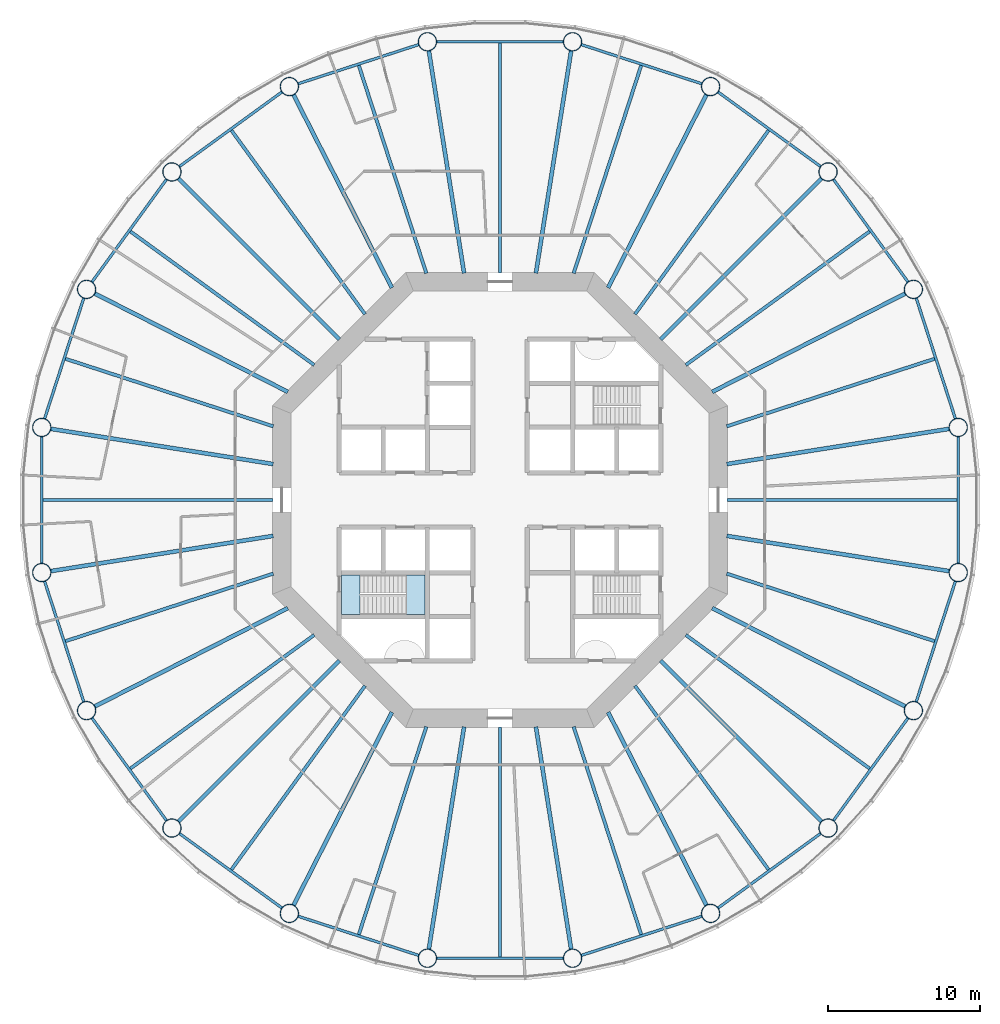
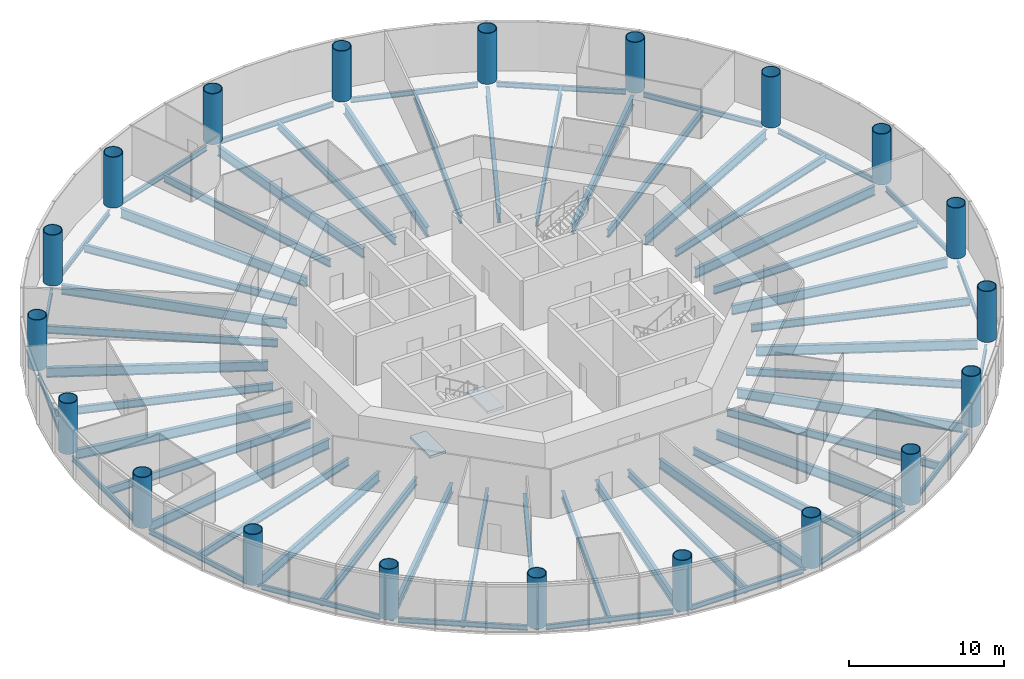
# One storey, part 1 of 13: 60 beams, 20 columns, 2 slabs, 1 element without a shape of its own.
"""IFC4 building model written with IfcOpenShell, lengths in metres."""

import ifcopenshell
import ifcopenshell.guid

model = None  # the IFC model being written
_history = None  # IfcOwnerHistory: only IFC2X3 demands one
_inside = {}  # id of a spatial element -> (the spatial element, [elements in it])
_under = {}  # id of a project, library or spatial element -> (it, [spatial elements below it])
_declared = {}  # id of a project -> (the project, [libraries it declares])
_typed = {}  # id of a type object -> (the type object, [elements of that type])
_made_of = {}  # id of a material, layer set ... -> (it, [elements and type objects made of it])


def new_model(schema):
    """Start an empty IFC model of exactly this schema.

    Asked for "IFC4X3", IfcOpenShell would pick the latest addendum, in which some entities
    have other attributes; the version numbers below select the first issue.
    IFC2X3 requires an IfcOwnerHistory on every rooted entity: one is made here for all.
    """
    global model, _history
    if schema == "IFC4X3":
        model = ifcopenshell.file(schema_version=(4, 3, 0, 0))
    else:
        model = ifcopenshell.file(schema=schema)
    _inside.clear()
    _under.clear()
    _declared.clear()
    _typed.clear()
    _made_of.clear()
    _history = None
    if model.schema == "IFC2X3":
        org = make("IfcOrganization", Name="unknown")
        user = make(
            "IfcPersonAndOrganization",
            ThePerson=make("IfcPerson", FamilyName="unknown"),
            TheOrganization=org,
        )
        app = make(
            "IfcApplication",
            ApplicationDeveloper=org,
            Version="unknown",
            ApplicationFullName="unknown",
            ApplicationIdentifier="unknown",
        )
        _history = make(
            "IfcOwnerHistory",
            OwningUser=user,
            OwningApplication=app,
            ChangeAction="ADDED",
            CreationDate=0,
        )
    return model


def make(cls, **values):
    """One entity of the class cls with the attributes given. An attribute that is None is left unset."""
    return model.create_entity(
        cls, **{name: value for name, value in values.items() if value is not None}
    )


def rooted(cls, **values):
    """An entity with a GlobalId (a new one), such as an element, a storey or a relation."""
    return make(cls, GlobalId=ifcopenshell.guid.new(), OwnerHistory=_history, **values)


def si_unit(unit_type, name, prefix=None):
    """IfcSIUnit, for example si_unit("LENGTHUNIT", "METRE", prefix="MILLI")."""
    return make("IfcSIUnit", UnitType=unit_type, Prefix=prefix, Name=name)


def assignment(units):
    """IfcUnitAssignment: the units of a project."""
    return None if units is None else make("IfcUnitAssignment", Units=units)


def point(xyz):
    """IfcCartesianPoint."""
    return None if xyz is None else make("IfcCartesianPoint", Coordinates=xyz)


def direction(xyz):
    """IfcDirection."""
    return None if xyz is None else make("IfcDirection", DirectionRatios=xyz)


def frame(location, z_axis=None, x_axis=None):
    """IfcAxis2Placement3D, a coordinate frame: its origin and axes. An axis left out is left unset."""
    return make(
        "IfcAxis2Placement3D",
        Location=point(location),
        Axis=direction(z_axis),
        RefDirection=direction(x_axis),
    )


def frame_2d(location, x_axis=None):
    """IfcAxis2Placement2D, a coordinate frame in the plane: its origin and x axis."""
    return make(
        "IfcAxis2Placement2D", Location=point(location), RefDirection=direction(x_axis)
    )


def origin():
    """The frame at (0, 0, 0) with its axes left unset."""
    return frame((0.0, 0.0, 0.0))


def origin_2d():
    """The frame at (0, 0) in the plane with its x axis left unset."""
    return frame_2d((0.0, 0.0))


def place(relative_to, where):
    """IfcLocalPlacement: puts the frame where relative to a parent placement (None: the world)."""
    return make(
        "IfcLocalPlacement", PlacementRelTo=relative_to, RelativePlacement=where
    )


def context(
    kind, dimensions, precision=None, world=None, true_north=None, identifier=None
):
    """IfcGeometricRepresentationContext, for example the 3D "Model" context."""
    return make(
        "IfcGeometricRepresentationContext",
        ContextIdentifier=identifier,
        ContextType=kind,
        CoordinateSpaceDimension=dimensions,
        Precision=precision,
        WorldCoordinateSystem=world,
        TrueNorth=true_north,
    )


def subcontext(parent, identifier, kind, view, scale=None):
    """IfcGeometricRepresentationSubContext, for example "Body" below "Model"."""
    return make(
        "IfcGeometricRepresentationSubContext",
        ContextIdentifier=identifier,
        ContextType=kind,
        ParentContext=parent,
        TargetScale=scale,
        TargetView=view,
    )


def project(units=None, contexts=None):
    """IfcProject with its units and contexts."""
    return rooted(
        "IfcProject",
        Name="project",
        RepresentationContexts=contexts,
        UnitsInContext=assignment(units),
    )


def spatial(cls, under=None, at=None, **own):
    """A site, building, storey or space (cls), placed at a placement, below another one or the project."""
    s = rooted(cls, ObjectPlacement=at, **own)
    if under is not None:
        _under.setdefault(under.id(), (under, []))[1].append(s)
    return s


def polyline(points):
    """IfcPolyline through the points."""
    return make("IfcPolyline", Points=[point(p) for p in points])


def profile(cls, at=None, kind="AREA", **sizes):
    """A parametric profile (cls). Its sizes go by their IFC names, for example OverallWidth=200.0."""
    return make(cls, ProfileType=kind, Position=at, **sizes)


def circle(**sizes):
    """IfcCircleProfileDef."""
    return profile("IfcCircleProfileDef", **sizes)


def hollow_circle(**sizes):
    """IfcCircleHollowProfileDef."""
    return profile("IfcCircleHollowProfileDef", **sizes)


def i_section(**sizes):
    """IfcIShapeProfileDef."""
    return profile("IfcIShapeProfileDef", **sizes)


def outline(outer, holes=None, kind="AREA"):
    """IfcArbitraryClosedProfileDef: a profile drawn as a closed curve; with holes, ...WithVoids."""
    if holes is None:
        return make("IfcArbitraryClosedProfileDef", ProfileType=kind, OuterCurve=outer)
    return make(
        "IfcArbitraryProfileDefWithVoids",
        ProfileType=kind,
        OuterCurve=outer,
        InnerCurves=holes,
    )


def extrude(swept, where, along, depth):
    """IfcExtrudedAreaSolid: the profile swept, set in the frame where, extruded along a direction by depth."""
    return make(
        "IfcExtrudedAreaSolid",
        SweptArea=swept,
        Position=where,
        ExtrudedDirection=direction(along),
        Depth=depth,
    )


def shape(context_of_items, identifier, shape_type, items):
    """IfcShapeRepresentation: the items that make up one representation, for example the "Body"."""
    return make(
        "IfcShapeRepresentation",
        ContextOfItems=context_of_items,
        RepresentationIdentifier=identifier,
        RepresentationType=shape_type,
        Items=items,
    )


def material(Name=None, Category=None):
    """IfcMaterial."""
    return make("IfcMaterial", Name=Name, Category=Category)


def layer(
    of_material, thickness, ventilated=None, Name=None, Category=None, Priority=None
):
    """IfcMaterialLayer: one layer of a wall or slab, of a material (None: an air gap)."""
    return make(
        "IfcMaterialLayer",
        Material=of_material,
        LayerThickness=thickness,
        IsVentilated=ventilated,
        Name=Name,
        Category=Category,
        Priority=Priority,
    )


def layer_set(layers, Name=None):
    """IfcMaterialLayerSet."""
    return make("IfcMaterialLayerSet", MaterialLayers=layers, LayerSetName=Name)


def material_profile(
    of_material, cross_section, Name=None, Category=None, Priority=None
):
    """IfcMaterialProfile: a cross section and its material."""
    return make(
        "IfcMaterialProfile",
        Name=Name,
        Material=of_material,
        Profile=cross_section,
        Priority=Priority,
        Category=Category,
    )


def profile_set(profiles, Name=None, composite=None):
    """IfcMaterialProfileSet."""
    return make(
        "IfcMaterialProfileSet",
        Name=Name,
        MaterialProfiles=profiles,
        CompositeProfile=composite,
    )


def made_of(thing, what):
    """Note that an element or type object is made of a material, layer set ...; save() writes the relation."""
    if what is not None:
        _made_of.setdefault(what.id(), (what, []))[1].append(thing)
    return thing


def type_object(cls, material=None, **own):
    """A type object (cls), such as IfcWallType, which elements share."""
    return made_of(rooted(cls, **own), material)


def element(
    cls,
    number,
    at=None,
    inside=None,
    cuts=None,
    type_object=None,
    material=None,
    context=None,
    identifier="Body",
    shape_type=None,
    held_by="IfcProductDefinitionShape",
    body=None,
    shapes=None,
    **own,
):
    """One element of the class cls, such as IfcWall. Its Tag is "e" and its number.

    at: its placement. inside: the storey or other place that contains it. cuts: it is an
    opening in that element (IfcRelVoidsElement). A single representation is given by context,
    identifier, shape_type and body (its items); several are given by shapes. held_by: the class
    of the entity that holds the representations. save() writes the other relations.
    """
    e = rooted(cls, Tag="e%d" % number, ObjectPlacement=at, **own)
    if body is not None:
        shapes = [shape(context, identifier, shape_type, body)]
    if shapes is not None:
        e.Representation = make(held_by, Representations=shapes)
    if inside is not None:
        _inside.setdefault(inside.id(), (inside, []))[1].append(e)
    if cuts is not None:
        rooted(
            "IfcRelVoidsElement", RelatingBuildingElement=cuts, RelatedOpeningElement=e
        )
    if type_object is not None:
        _typed.setdefault(type_object.id(), (type_object, []))[1].append(e)
    return made_of(e, material)


def aggregate(whole, parts):
    """IfcRelAggregates: a whole, such as a stair, and the parts it consists of."""
    return rooted("IfcRelAggregates", RelatingObject=whole, RelatedObjects=parts)


def save(model, path):
    """Write the relations noted so far, then the file.

    IfcRelAggregates (storeys below a building ...), IfcRelContainedInSpatialStructure (elements
    in a storey), IfcRelDefinesByType, IfcRelAssociatesMaterial and IfcRelDeclares: one each for
    every whole, place, type object, material and project.
    """
    for whole, parts in _under.values():
        aggregate(whole, parts)
    for where, things in _inside.values():
        rooted(
            "IfcRelContainedInSpatialStructure",
            RelatedElements=things,
            RelatingStructure=where,
        )
    for kind, things in _typed.values():
        rooted("IfcRelDefinesByType", RelatedObjects=things, RelatingType=kind)
    for what, things in _made_of.values():
        rooted("IfcRelAssociatesMaterial", RelatedObjects=things, RelatingMaterial=what)
    for by, libraries in _declared.values():
        rooted("IfcRelDeclares", RelatingContext=by, RelatedDefinitions=libraries)
    model.write(path)


model = new_model("IFC4")

# Units and contexts
model_context = context("Model", 3, precision=1e-05, world=origin(), true_north=direction((0.0, 1.0)))
body_context = subcontext(model_context, "Body", "Model", "MODEL_VIEW")
ifc_project = project(units=[si_unit("LENGTHUNIT", "METRE"), si_unit("AREAUNIT", "SQUARE_METRE"), si_unit("VOLUMEUNIT", "CUBIC_METRE"), si_unit("PLANEANGLEUNIT", "RADIAN"), si_unit("MASSUNIT", "GRAM", prefix="KILO")], contexts=[model_context])

# Site, building, storey
site_placement = place(None, origin())
site = spatial("IfcSite", under=ifc_project, at=site_placement, CompositionType="ELEMENT")
building_placement = place(site_placement, origin())
building = spatial("IfcBuilding", under=site, at=building_placement, Name="Entoto Ring Tower", CompositionType="ELEMENT")
storey_placement = place(building_placement, frame((0.0, 0.0, 100.0)))
storey = spatial("IfcBuildingStorey", under=building, at=storey_placement, Name="L22", CompositionType="ELEMENT", Elevation=100.0)

# Columns
ifc_material_1 = material(Name="Steel S355", Category="steel")
ifc_material_profile_1 = material_profile(ifc_material_1, hollow_circle(Radius=0.625, WallThickness=0.054931640625, at=origin_2d()), Name="CHS 1250 x 55")
ifc_material_2 = material(Name="Concrete C60/75", Category="concrete")
ifc_material_profile_2 = material_profile(ifc_material_2, circle(Radius=0.570068359375, at=origin_2d()), Name="Concrete C60/75 infill")
ifc_profile_set_1 = profile_set([ifc_material_profile_1, ifc_material_profile_2], Name="Steel S355")
column_type = type_object("IfcColumnType", Name="Ring column 1250 x 55 concrete-filled tube", PredefinedType="COLUMN", material=ifc_profile_set_1)
for number, where, z_axis, x_axis, name in (
    (1, (120.22314453125, 84.786865234375, 0.0), (0.0, 0.0, 1.0), (1.0, 0.0, 0.0), "RC2 R01"),
    (2, (117.264892578125, 93.89208984375, 0.0), (0.0, 0.0, 1.0), (1.0, 0.0, 0.0), "RC2 R02"),
    (3, (111.637451171875, 101.637451171875, 0.0), (0.0, 0.0, 1.0), (1.0, 0.0, 0.0), "RC2 R03"),
    (4, (103.89208984375, 107.264892578125, 0.0), (0.0, 0.0, 1.0), (1.0, 0.0, 0.0), "RC2 R04"),
    (5, (94.786865234375, 110.22314453125, 0.0), (0.0, 0.0, 1.0), (1.0, 0.0, 0.0), "RC2 R05"),
    (6, (85.213134765625, 110.22314453125, 0.0), (0.0, 0.0, 1.0), (1.0, 0.0, 0.0), "RC2 R06"),
    (7, (76.10791015625, 107.264892578125, 0.0), (0.0, 0.0, 1.0), (1.0, 0.0, 0.0), "RC2 R07"),
    (8, (68.362548828125, 101.637451171875, 0.0), (0.0, 0.0, 1.0), (1.0, 0.0, 0.0), "RC2 R08"),
    (9, (62.735107421875, 93.89208984375, 0.0), (0.0, 0.0, 1.0), (1.0, 0.0, 0.0), "RC2 R09"),
    (10, (59.77685546875, 84.786865234375, 0.0), (0.0, 0.0, 1.0), (1.0, 0.0, 0.0), "RC2 R10"),
    (11, (59.77685546875, 75.213134765625, 0.0), (0.0, 0.0, 1.0), (1.0, 0.0, 0.0), "RC2 R11"),
    (12, (62.735107421875, 66.10791015625, 0.0), (0.0, 0.0, 1.0), (1.0, 0.0, 0.0), "RC2 R12"),
    (13, (68.362548828125, 58.362548828125, 0.0), (0.0, 0.0, 1.0), (1.0, 0.0, 0.0), "RC2 R13"),
    (14, (76.10791015625, 52.735107421875, 0.0), (0.0, 0.0, 1.0), (1.0, 0.0, 0.0), "RC2 R14"),
    (15, (85.213134765625, 49.77685546875, 0.0), (0.0, 0.0, 1.0), (1.0, 0.0, 0.0), "RC2 R15"),
    (16, (94.786865234375, 49.77685546875, 0.0), (0.0, 0.0, 1.0), (1.0, 0.0, 0.0), "RC2 R16"),
    (17, (103.89208984375, 52.735107421875, 0.0), (0.0, 0.0, 1.0), (1.0, 0.0, 0.0), "RC2 R17"),
    (18, (111.637451171875, 58.362548828125, 0.0), (0.0, 0.0, 1.0), (1.0, 0.0, 0.0), "RC2 R18"),
    (19, (117.264892578125, 66.10791015625, 0.0), (0.0, 0.0, 1.0), (1.0, 0.0, 0.0), "RC2 R19"),
    (20, (120.22314453125, 75.213134765625, 0.0), (0.0, 0.0, 1.0), (1.0, 0.0, 0.0), "RC2 R20"),
):
    element("IfcColumn", number, at=place(storey_placement, frame(where, z_axis=z_axis, x_axis=x_axis)), inside=storey, type_object=column_type, Name=name, PredefinedType="COLUMN", context=body_context, shape_type="SweptSolid", body=[
        extrude(hollow_circle(Radius=0.625, WallThickness=0.054931640625, at=origin_2d()), origin(), (0.0, 0.0, 1.0), 4.0),
    ])

# Beams
ifc_material_3 = material(Name="Steel S355", Category="steel")
ifc_material_profile_3 = material_profile(ifc_material_3, i_section(OverallWidth=0.179931640625, OverallDepth=0.39990234375, WebThickness=0.008544921875, FlangeThickness=0.013427734375, FilletRadius=0.02099609375, at=origin_2d()), Name="IPE 400")
ifc_profile_set_2 = profile_set([ifc_material_profile_3], Name="Steel S355")
beam_type_1 = type_object("IfcBeamType", Name="Edge beam IPE 400", PredefinedType="SPANDREL", material=ifc_profile_set_2)
for number, where, z_axis, x_axis, name in (
    (21, (120.038330078125, 85.35595703125, -0.35009765625), (-0.309014241039, 0.951057410904, 0.0), (-0.951057410904, -0.309014241039, 0.0), "Edge beam L22 01"),
    (22, (116.9130859375, 94.376220703125, -0.35009765625), (-0.587783458554, 0.8090182976, 0.0), (-0.8090182976, -0.587783458554, 0.0), "Edge beam L22 02"),
    (23, (111.1533203125, 101.9892578125, -0.35009765625), (-0.8090182976, 0.587783458554, 0.0), (-0.587783458554, -0.8090182976, 0.0), "Edge beam L22 03"),
    (24, (103.322998046875, 107.44970703125, -0.35009765625), (-0.951057410904, 0.309014241039, 0.0), (-0.309014241039, -0.951057410904, 0.0), "Edge beam L22 04"),
    (25, (94.1884765625, 110.22314453125, -0.35009765625), (-1.0, 0.0, 0.0), (0.0, -1.0, 0.0), "Edge beam L22 05"),
    (26, (84.64404296875, 110.038330078125, -0.35009765625), (-0.951057410904, -0.309014241039, 0.0), (0.309014241039, -0.951057410904, 0.0), "Edge beam L22 06"),
    (27, (75.623779296875, 106.9130859375, -0.35009765625), (-0.8090182976, -0.587783458554, 0.0), (0.587783458554, -0.8090182976, 0.0), "Edge beam L22 07"),
    (28, (68.0107421875, 101.1533203125, -0.35009765625), (-0.587783458554, -0.8090182976, 0.0), (0.8090182976, -0.587783458554, 0.0), "Edge beam L22 08"),
    (29, (62.55029296875, 93.322998046875, -0.35009765625), (-0.309014241039, -0.951057410904, 0.0), (0.951057410904, -0.309014241039, 0.0), "Edge beam L22 09"),
    (30, (59.77685546875, 84.1884765625, -0.35009765625), (0.0, -1.0, 0.0), (1.0, 0.0, 0.0), "Edge beam L22 10"),
    (31, (59.961669921875, 74.64404296875, -0.35009765625), (0.309014241039, -0.951057410904, 0.0), (0.951057410904, 0.309014241039, 0.0), "Edge beam L22 11"),
    (32, (63.0869140625, 65.623779296875, -0.35009765625), (0.587783458554, -0.8090182976, 0.0), (0.8090182976, 0.587783458554, 0.0), "Edge beam L22 12"),
    (33, (68.8466796875, 58.0107421875, -0.35009765625), (0.8090182976, -0.587783458554, 0.0), (0.587783458554, 0.8090182976, 0.0), "Edge beam L22 13"),
    (34, (76.677001953125, 52.55029296875, -0.35009765625), (0.951057410904, -0.309014241039, 0.0), (0.309014241039, 0.951057410904, 0.0), "Edge beam L22 14"),
    (35, (85.8115234375, 49.77685546875, -0.35009765625), (1.0, 0.0, 0.0), (0.0, 1.0, 0.0), "Edge beam L22 15"),
    (36, (95.35595703125, 49.961669921875, -0.35009765625), (0.951057410904, 0.309014241039, 0.0), (-0.309014241039, 0.951057410904, 0.0), "Edge beam L22 16"),
    (37, (104.376220703125, 53.0869140625, -0.35009765625), (0.8090182976, 0.587783458554, 0.0), (-0.587783458554, 0.8090182976, 0.0), "Edge beam L22 17"),
    (38, (111.9892578125, 58.8466796875, -0.35009765625), (0.587783458554, 0.8090182976, 0.0), (-0.8090182976, 0.587783458554, 0.0), "Edge beam L22 18"),
    (39, (117.44970703125, 66.677001953125, -0.35009765625), (0.309014241039, 0.951057410904, 0.0), (-0.951057410904, 0.309014241039, 0.0), "Edge beam L22 19"),
    (40, (120.22314453125, 75.8115234375, -0.35009765625), (0.0, 1.0, 0.0), (-1.0, 0.0, 0.0), "Edge beam L22 20"),
):
    element("IfcBeam", number, at=place(storey_placement, frame(where, z_axis=z_axis, x_axis=x_axis)), inside=storey, type_object=beam_type_1, Name=name, PredefinedType="SPANDREL", context=body_context, shape_type="SweptSolid", body=[
        extrude(i_section(OverallWidth=0.179931640625, OverallDepth=0.39990234375, WebThickness=0.008544921875, FlangeThickness=0.013427734375, FilletRadius=0.02099609375, at=origin_2d()), origin(), (0.0, 0.0, 1.0), 8.376953125),
    ])
ifc_material_4 = material(Name="Steel S355", Category="steel")
ifc_material_profile_4 = material_profile(ifc_material_4, i_section(OverallWidth=0.262939453125, OverallDepth=0.7529296875, WebThickness=0.011474609375, FlangeThickness=0.01708984375, FilletRadius=0.01708984375, at=origin_2d()), Name="IPE 750 x 137")
ifc_profile_set_3 = profile_set([ifc_material_profile_4], Name="Steel S355")
beam_type_2 = type_object("IfcBeamType", Name="Primary floor beam IPE 750 x 137", PredefinedType="BEAM", material=ifc_profile_set_3)
beam_1_placement = place(storey_placement, frame((104.959716796875, 82.369384765625, -0.526611328125), z_axis=(0.98768960451, 0.156426484787, 0.0), x_axis=(-0.156426484787, 0.98768960451, 0.0)))
element("IfcBeam", 41, at=beam_1_placement, inside=storey, type_object=beam_type_2, Name="Primary L22 R01", PredefinedType="BEAM", context=body_context, shape_type="SweptSolid", body=[
    extrude(i_section(OverallWidth=0.262939453125, OverallDepth=0.7529296875, WebThickness=0.011474609375, FlangeThickness=0.01708984375, FilletRadius=0.01708984375, at=origin_2d()), origin(), (0.0, 0.0, 1.0), 14.86279296875),
])
beam_2_placement = place(storey_placement, frame((103.9970703125, 87.1318359375, -0.526611328125), z_axis=(0.891007312585, 0.453988952421, 0.0), x_axis=(-0.453988952421, 0.891007312585, 0.0)))
element("IfcBeam", 42, at=beam_2_placement, inside=storey, type_object=beam_type_2, Name="Primary L22 R02", PredefinedType="BEAM", context=body_context, shape_type="SweptSolid", body=[
    extrude(i_section(OverallWidth=0.262939453125, OverallDepth=0.7529296875, WebThickness=0.011474609375, FlangeThickness=0.01708984375, FilletRadius=0.01708984375, at=origin_2d()), origin(), (0.0, 0.0, 1.0), 14.2998046875),
])
beam_3_placement = place(storey_placement, frame((100.592529296875, 90.592529296875, -0.526611328125), z_axis=(0.707106781187, 0.707106781187, 0.0), x_axis=(-0.707106781187, 0.707106781187, 0.0)))
element("IfcBeam", 43, at=beam_3_placement, inside=storey, type_object=beam_type_2, Name="Primary L22 R03", PredefinedType="BEAM", context=body_context, shape_type="SweptSolid", body=[
    extrude(i_section(OverallWidth=0.262939453125, OverallDepth=0.7529296875, WebThickness=0.011474609375, FlangeThickness=0.01708984375, FilletRadius=0.01708984375, at=origin_2d()), origin(), (0.0, 0.0, 1.0), 15.029052734375),
])
beam_4_placement = place(storey_placement, frame((97.1318359375, 93.9970703125, -0.526611328125), z_axis=(0.453988952421, 0.891007312585, 0.0), x_axis=(-0.891007312585, 0.453988952421, 0.0)))
element("IfcBeam", 44, at=beam_4_placement, inside=storey, type_object=beam_type_2, Name="Primary L22 R04", PredefinedType="BEAM", context=body_context, shape_type="SweptSolid", body=[
    extrude(i_section(OverallWidth=0.262939453125, OverallDepth=0.7529296875, WebThickness=0.011474609375, FlangeThickness=0.01708984375, FilletRadius=0.01708984375, at=origin_2d()), origin(), (0.0, 0.0, 1.0), 14.2998046875),
])
for number, where, z_axis, x_axis, name in (
    (45, (92.369384765625, 94.959716796875, -0.526611328125), (0.156426484787, 0.98768960451, 0.0), (-0.98768960451, 0.156426484787, 0.0), "Primary L22 R05"),
    (46, (87.630615234375, 94.959716796875, -0.526611328125), (-0.156426484787, 0.98768960451, 0.0), (-0.98768960451, -0.156426484787, 0.0), "Primary L22 R06"),
):
    element("IfcBeam", number, at=place(storey_placement, frame(where, z_axis=z_axis, x_axis=x_axis)), inside=storey, type_object=beam_type_2, Name=name, PredefinedType="BEAM", context=body_context, shape_type="SweptSolid", body=[
        extrude(i_section(OverallWidth=0.262939453125, OverallDepth=0.7529296875, WebThickness=0.011474609375, FlangeThickness=0.01708984375, FilletRadius=0.01708984375, at=origin_2d()), origin(), (0.0, 0.0, 1.0), 14.86279296875),
    ])
beam_5_placement = place(storey_placement, frame((82.8681640625, 93.9970703125, -0.526611328125), z_axis=(-0.453988952421, 0.891007312585, 0.0), x_axis=(-0.891007312585, -0.453988952421, 0.0)))
element("IfcBeam", 47, at=beam_5_placement, inside=storey, type_object=beam_type_2, Name="Primary L22 R07", PredefinedType="BEAM", context=body_context, shape_type="SweptSolid", body=[
    extrude(i_section(OverallWidth=0.262939453125, OverallDepth=0.7529296875, WebThickness=0.011474609375, FlangeThickness=0.01708984375, FilletRadius=0.01708984375, at=origin_2d()), origin(), (0.0, 0.0, 1.0), 14.2998046875),
])
beam_6_placement = place(storey_placement, frame((79.407470703125, 90.592529296875, -0.526611328125), z_axis=(-0.707106781187, 0.707106781187, 0.0), x_axis=(-0.707106781187, -0.707106781187, 0.0)))
element("IfcBeam", 48, at=beam_6_placement, inside=storey, type_object=beam_type_2, Name="Primary L22 R08", PredefinedType="BEAM", context=body_context, shape_type="SweptSolid", body=[
    extrude(i_section(OverallWidth=0.262939453125, OverallDepth=0.7529296875, WebThickness=0.011474609375, FlangeThickness=0.01708984375, FilletRadius=0.01708984375, at=origin_2d()), origin(), (0.0, 0.0, 1.0), 15.029052734375),
])
beam_7_placement = place(storey_placement, frame((76.0029296875, 87.1318359375, -0.526611328125), z_axis=(-0.891007312585, 0.453988952421, 0.0), x_axis=(-0.453988952421, -0.891007312585, 0.0)))
element("IfcBeam", 49, at=beam_7_placement, inside=storey, type_object=beam_type_2, Name="Primary L22 R09", PredefinedType="BEAM", context=body_context, shape_type="SweptSolid", body=[
    extrude(i_section(OverallWidth=0.262939453125, OverallDepth=0.7529296875, WebThickness=0.011474609375, FlangeThickness=0.01708984375, FilletRadius=0.01708984375, at=origin_2d()), origin(), (0.0, 0.0, 1.0), 14.2998046875),
])
for number, where, z_axis, x_axis, name in (
    (50, (75.040283203125, 82.369384765625, -0.526611328125), (-0.98768960451, 0.156426484787, 0.0), (-0.156426484787, -0.98768960451, 0.0), "Primary L22 R10"),
    (51, (75.040283203125, 77.630615234375, -0.526611328125), (-0.98768960451, -0.156426484787, 0.0), (0.156426484787, -0.98768960451, 0.0), "Primary L22 R11"),
):
    element("IfcBeam", number, at=place(storey_placement, frame(where, z_axis=z_axis, x_axis=x_axis)), inside=storey, type_object=beam_type_2, Name=name, PredefinedType="BEAM", context=body_context, shape_type="SweptSolid", body=[
        extrude(i_section(OverallWidth=0.262939453125, OverallDepth=0.7529296875, WebThickness=0.011474609375, FlangeThickness=0.01708984375, FilletRadius=0.01708984375, at=origin_2d()), origin(), (0.0, 0.0, 1.0), 14.86279296875),
    ])
beam_8_placement = place(storey_placement, frame((76.0029296875, 72.8681640625, -0.526611328125), z_axis=(-0.891007312585, -0.453988952421, 0.0), x_axis=(0.453988952421, -0.891007312585, 0.0)))
element("IfcBeam", 52, at=beam_8_placement, inside=storey, type_object=beam_type_2, Name="Primary L22 R12", PredefinedType="BEAM", context=body_context, shape_type="SweptSolid", body=[
    extrude(i_section(OverallWidth=0.262939453125, OverallDepth=0.7529296875, WebThickness=0.011474609375, FlangeThickness=0.01708984375, FilletRadius=0.01708984375, at=origin_2d()), origin(), (0.0, 0.0, 1.0), 14.2998046875),
])
beam_9_placement = place(storey_placement, frame((79.407470703125, 69.407470703125, -0.526611328125), z_axis=(-0.707106781187, -0.707106781187, 0.0), x_axis=(0.707106781187, -0.707106781187, 0.0)))
element("IfcBeam", 53, at=beam_9_placement, inside=storey, type_object=beam_type_2, Name="Primary L22 R13", PredefinedType="BEAM", context=body_context, shape_type="SweptSolid", body=[
    extrude(i_section(OverallWidth=0.262939453125, OverallDepth=0.7529296875, WebThickness=0.011474609375, FlangeThickness=0.01708984375, FilletRadius=0.01708984375, at=origin_2d()), origin(), (0.0, 0.0, 1.0), 15.029052734375),
])
beam_10_placement = place(storey_placement, frame((82.8681640625, 66.0029296875, -0.526611328125), z_axis=(-0.453988952421, -0.891007312585, 0.0), x_axis=(0.891007312585, -0.453988952421, 0.0)))
element("IfcBeam", 54, at=beam_10_placement, inside=storey, type_object=beam_type_2, Name="Primary L22 R14", PredefinedType="BEAM", context=body_context, shape_type="SweptSolid", body=[
    extrude(i_section(OverallWidth=0.262939453125, OverallDepth=0.7529296875, WebThickness=0.011474609375, FlangeThickness=0.01708984375, FilletRadius=0.01708984375, at=origin_2d()), origin(), (0.0, 0.0, 1.0), 14.2998046875),
])
for number, where, z_axis, x_axis, name in (
    (55, (87.630615234375, 65.040283203125, -0.526611328125), (-0.156426484787, -0.98768960451, 0.0), (0.98768960451, -0.156426484787, 0.0), "Primary L22 R15"),
    (56, (92.369384765625, 65.040283203125, -0.526611328125), (0.156426484787, -0.98768960451, 0.0), (0.98768960451, 0.156426484787, 0.0), "Primary L22 R16"),
):
    element("IfcBeam", number, at=place(storey_placement, frame(where, z_axis=z_axis, x_axis=x_axis)), inside=storey, type_object=beam_type_2, Name=name, PredefinedType="BEAM", context=body_context, shape_type="SweptSolid", body=[
        extrude(i_section(OverallWidth=0.262939453125, OverallDepth=0.7529296875, WebThickness=0.011474609375, FlangeThickness=0.01708984375, FilletRadius=0.01708984375, at=origin_2d()), origin(), (0.0, 0.0, 1.0), 14.86279296875),
    ])
beam_11_placement = place(storey_placement, frame((97.1318359375, 66.0029296875, -0.526611328125), z_axis=(0.453988952421, -0.891007312585, 0.0), x_axis=(0.891007312585, 0.453988952421, 0.0)))
element("IfcBeam", 57, at=beam_11_placement, inside=storey, type_object=beam_type_2, Name="Primary L22 R17", PredefinedType="BEAM", context=body_context, shape_type="SweptSolid", body=[
    extrude(i_section(OverallWidth=0.262939453125, OverallDepth=0.7529296875, WebThickness=0.011474609375, FlangeThickness=0.01708984375, FilletRadius=0.01708984375, at=origin_2d()), origin(), (0.0, 0.0, 1.0), 14.2998046875),
])
beam_12_placement = place(storey_placement, frame((100.592529296875, 69.407470703125, -0.526611328125), z_axis=(0.707106781187, -0.707106781187, 0.0), x_axis=(0.707106781187, 0.707106781187, 0.0)))
element("IfcBeam", 58, at=beam_12_placement, inside=storey, type_object=beam_type_2, Name="Primary L22 R18", PredefinedType="BEAM", context=body_context, shape_type="SweptSolid", body=[
    extrude(i_section(OverallWidth=0.262939453125, OverallDepth=0.7529296875, WebThickness=0.011474609375, FlangeThickness=0.01708984375, FilletRadius=0.01708984375, at=origin_2d()), origin(), (0.0, 0.0, 1.0), 15.029052734375),
])
beam_13_placement = place(storey_placement, frame((103.9970703125, 72.8681640625, -0.526611328125), z_axis=(0.891007312585, -0.453988952421, 0.0), x_axis=(0.453988952421, 0.891007312585, 0.0)))
element("IfcBeam", 59, at=beam_13_placement, inside=storey, type_object=beam_type_2, Name="Primary L22 R19", PredefinedType="BEAM", context=body_context, shape_type="SweptSolid", body=[
    extrude(i_section(OverallWidth=0.262939453125, OverallDepth=0.7529296875, WebThickness=0.011474609375, FlangeThickness=0.01708984375, FilletRadius=0.01708984375, at=origin_2d()), origin(), (0.0, 0.0, 1.0), 14.2998046875),
])
beam_14_placement = place(storey_placement, frame((104.959716796875, 77.630615234375, -0.526611328125), z_axis=(0.98768960451, -0.156426484787, 0.0), x_axis=(0.156426484787, 0.98768960451, 0.0)))
element("IfcBeam", 60, at=beam_14_placement, inside=storey, type_object=beam_type_2, Name="Primary L22 R20", PredefinedType="BEAM", context=body_context, shape_type="SweptSolid", body=[
    extrude(i_section(OverallWidth=0.262939453125, OverallDepth=0.7529296875, WebThickness=0.011474609375, FlangeThickness=0.01708984375, FilletRadius=0.01708984375, at=origin_2d()), origin(), (0.0, 0.0, 1.0), 14.86279296875),
])
ifc_material_5 = material(Name="Steel S355", Category="steel")
ifc_material_profile_5 = material_profile(ifc_material_5, i_section(OverallWidth=0.219970703125, OverallDepth=0.60009765625, WebThickness=0.011962890625, FlangeThickness=0.01904296875, FilletRadius=0.02392578125, at=origin_2d()), Name="IPE 600")
ifc_profile_set_4 = profile_set([ifc_material_profile_5], Name="Steel S355")
beam_type_3 = type_object("IfcBeamType", Name="Secondary floor beam IPE 600", PredefinedType="JOIST", material=ifc_profile_set_4)
beam_15_placement = place(storey_placement, frame((104.947021484375, 84.856689453125, -0.449951171875), z_axis=(0.951057212949, 0.309014850288, 0.0), x_axis=(-0.309014850288, 0.951057212949, 0.0)))
element("IfcBeam", 61, at=beam_15_placement, inside=storey, type_object=beam_type_3, Name="Secondary beam L22 01", PredefinedType="JOIST", context=body_context, shape_type="SweptSolid", body=[
    extrude(i_section(OverallWidth=0.219970703125, OverallDepth=0.60009765625, WebThickness=0.011962890625, FlangeThickness=0.01904296875, FilletRadius=0.02392578125, at=origin_2d()), origin(), (0.0, 0.0, 1.0), 14.4169921875),
])
for number, where, z_axis, x_axis, name in (
    (62, (102.25634765625, 88.90478515625, -0.449951171875), (0.809019238239, 0.587782163866, 0.0), (-0.587782163866, 0.809019238239, 0.0), "Secondary beam L22 02"),
    (63, (98.90478515625, 92.25634765625, -0.449951171875), (0.587782163866, 0.809019238239, 0.0), (-0.809019238239, 0.587782163866, 0.0), "Secondary beam L22 03"),
):
    element("IfcBeam", number, at=place(storey_placement, frame(where, z_axis=z_axis, x_axis=x_axis)), inside=storey, type_object=beam_type_3, Name=name, PredefinedType="JOIST", context=body_context, shape_type="SweptSolid", body=[
        extrude(i_section(OverallWidth=0.219970703125, OverallDepth=0.60009765625, WebThickness=0.011962890625, FlangeThickness=0.01904296875, FilletRadius=0.02392578125, at=origin_2d()), origin(), (0.0, 0.0, 1.0), 14.983642578125),
    ])
beam_16_placement = place(storey_placement, frame((94.856689453125, 94.947021484375, -0.449951171875), z_axis=(0.309014850288, 0.951057212949, 0.0), x_axis=(-0.951057212949, 0.309014850288, 0.0)))
element("IfcBeam", 64, at=beam_16_placement, inside=storey, type_object=beam_type_3, Name="Secondary beam L22 04", PredefinedType="JOIST", context=body_context, shape_type="SweptSolid", body=[
    extrude(i_section(OverallWidth=0.219970703125, OverallDepth=0.60009765625, WebThickness=0.011962890625, FlangeThickness=0.01904296875, FilletRadius=0.02392578125, at=origin_2d()), origin(), (0.0, 0.0, 1.0), 14.4169921875),
])
beam_17_placement = place(storey_placement, frame((90.0, 94.97998046875, -0.449951171875), z_axis=(0.0, 1.0, 0.0), x_axis=(-1.0, 0.0, 0.0)))
element("IfcBeam", 65, at=beam_17_placement, inside=storey, type_object=beam_type_3, Name="Secondary beam L22 05", PredefinedType="JOIST", context=body_context, shape_type="SweptSolid", body=[
    extrude(i_section(OverallWidth=0.219970703125, OverallDepth=0.60009765625, WebThickness=0.011962890625, FlangeThickness=0.01904296875, FilletRadius=0.02392578125, at=origin_2d()), origin(), (0.0, 0.0, 1.0), 15.1533203125),
])
beam_18_placement = place(storey_placement, frame((85.143310546875, 94.947021484375, -0.449951171875), z_axis=(-0.309014850288, 0.951057212949, 0.0), x_axis=(-0.951057212949, -0.309014850288, 0.0)))
element("IfcBeam", 66, at=beam_18_placement, inside=storey, type_object=beam_type_3, Name="Secondary beam L22 06", PredefinedType="JOIST", context=body_context, shape_type="SweptSolid", body=[
    extrude(i_section(OverallWidth=0.219970703125, OverallDepth=0.60009765625, WebThickness=0.011962890625, FlangeThickness=0.01904296875, FilletRadius=0.02392578125, at=origin_2d()), origin(), (0.0, 0.0, 1.0), 14.4169921875),
])
for number, where, z_axis, x_axis, name in (
    (67, (81.09521484375, 92.25634765625, -0.449951171875), (-0.587782163866, 0.809019238239, 0.0), (-0.809019238239, -0.587782163866, 0.0), "Secondary beam L22 07"),
    (68, (77.74365234375, 88.90478515625, -0.449951171875), (-0.809019238239, 0.587782163866, 0.0), (-0.587782163866, -0.809019238239, 0.0), "Secondary beam L22 08"),
):
    element("IfcBeam", number, at=place(storey_placement, frame(where, z_axis=z_axis, x_axis=x_axis)), inside=storey, type_object=beam_type_3, Name=name, PredefinedType="JOIST", context=body_context, shape_type="SweptSolid", body=[
        extrude(i_section(OverallWidth=0.219970703125, OverallDepth=0.60009765625, WebThickness=0.011962890625, FlangeThickness=0.01904296875, FilletRadius=0.02392578125, at=origin_2d()), origin(), (0.0, 0.0, 1.0), 14.983642578125),
    ])
beam_19_placement = place(storey_placement, frame((75.052978515625, 84.856689453125, -0.449951171875), z_axis=(-0.951057212949, 0.309014850288, 0.0), x_axis=(-0.309014850288, -0.951057212949, 0.0)))
element("IfcBeam", 69, at=beam_19_placement, inside=storey, type_object=beam_type_3, Name="Secondary beam L22 09", PredefinedType="JOIST", context=body_context, shape_type="SweptSolid", body=[
    extrude(i_section(OverallWidth=0.219970703125, OverallDepth=0.60009765625, WebThickness=0.011962890625, FlangeThickness=0.01904296875, FilletRadius=0.02392578125, at=origin_2d()), origin(), (0.0, 0.0, 1.0), 14.4169921875),
])
beam_20_placement = place(storey_placement, frame((75.02001953125, 80.0, -0.449951171875), z_axis=(-1.0, 0.0, 0.0), x_axis=(0.0, -1.0, 0.0)))
element("IfcBeam", 70, at=beam_20_placement, inside=storey, type_object=beam_type_3, Name="Secondary beam L22 10", PredefinedType="JOIST", context=body_context, shape_type="SweptSolid", body=[
    extrude(i_section(OverallWidth=0.219970703125, OverallDepth=0.60009765625, WebThickness=0.011962890625, FlangeThickness=0.01904296875, FilletRadius=0.02392578125, at=origin_2d()), origin(), (0.0, 0.0, 1.0), 15.1533203125),
])
beam_21_placement = place(storey_placement, frame((75.052978515625, 75.143310546875, -0.449951171875), z_axis=(-0.951057212949, -0.309014850288, 0.0), x_axis=(0.309014850288, -0.951057212949, 0.0)))
element("IfcBeam", 71, at=beam_21_placement, inside=storey, type_object=beam_type_3, Name="Secondary beam L22 11", PredefinedType="JOIST", context=body_context, shape_type="SweptSolid", body=[
    extrude(i_section(OverallWidth=0.219970703125, OverallDepth=0.60009765625, WebThickness=0.011962890625, FlangeThickness=0.01904296875, FilletRadius=0.02392578125, at=origin_2d()), origin(), (0.0, 0.0, 1.0), 14.4169921875),
])
for number, where, z_axis, x_axis, name in (
    (72, (77.74365234375, 71.09521484375, -0.449951171875), (-0.809019238239, -0.587782163866, 0.0), (0.587782163866, -0.809019238239, 0.0), "Secondary beam L22 12"),
    (73, (81.09521484375, 67.74365234375, -0.449951171875), (-0.587782163866, -0.809019238239, 0.0), (0.809019238239, -0.587782163866, 0.0), "Secondary beam L22 13"),
):
    element("IfcBeam", number, at=place(storey_placement, frame(where, z_axis=z_axis, x_axis=x_axis)), inside=storey, type_object=beam_type_3, Name=name, PredefinedType="JOIST", context=body_context, shape_type="SweptSolid", body=[
        extrude(i_section(OverallWidth=0.219970703125, OverallDepth=0.60009765625, WebThickness=0.011962890625, FlangeThickness=0.01904296875, FilletRadius=0.02392578125, at=origin_2d()), origin(), (0.0, 0.0, 1.0), 14.983642578125),
    ])
beam_22_placement = place(storey_placement, frame((85.143310546875, 65.052978515625, -0.449951171875), z_axis=(-0.309014850288, -0.951057212949, 0.0), x_axis=(0.951057212949, -0.309014850288, 0.0)))
element("IfcBeam", 74, at=beam_22_placement, inside=storey, type_object=beam_type_3, Name="Secondary beam L22 14", PredefinedType="JOIST", context=body_context, shape_type="SweptSolid", body=[
    extrude(i_section(OverallWidth=0.219970703125, OverallDepth=0.60009765625, WebThickness=0.011962890625, FlangeThickness=0.01904296875, FilletRadius=0.02392578125, at=origin_2d()), origin(), (0.0, 0.0, 1.0), 14.4169921875),
])
beam_23_placement = place(storey_placement, frame((90.0, 65.02001953125, -0.449951171875), z_axis=(0.0, -1.0, 0.0), x_axis=(1.0, 0.0, 0.0)))
element("IfcBeam", 75, at=beam_23_placement, inside=storey, type_object=beam_type_3, Name="Secondary beam L22 15", PredefinedType="JOIST", context=body_context, shape_type="SweptSolid", body=[
    extrude(i_section(OverallWidth=0.219970703125, OverallDepth=0.60009765625, WebThickness=0.011962890625, FlangeThickness=0.01904296875, FilletRadius=0.02392578125, at=origin_2d()), origin(), (0.0, 0.0, 1.0), 15.1533203125),
])
beam_24_placement = place(storey_placement, frame((94.856689453125, 65.052978515625, -0.449951171875), z_axis=(0.309014850288, -0.951057212949, 0.0), x_axis=(0.951057212949, 0.309014850288, 0.0)))
element("IfcBeam", 76, at=beam_24_placement, inside=storey, type_object=beam_type_3, Name="Secondary beam L22 16", PredefinedType="JOIST", context=body_context, shape_type="SweptSolid", body=[
    extrude(i_section(OverallWidth=0.219970703125, OverallDepth=0.60009765625, WebThickness=0.011962890625, FlangeThickness=0.01904296875, FilletRadius=0.02392578125, at=origin_2d()), origin(), (0.0, 0.0, 1.0), 14.4169921875),
])
for number, where, z_axis, x_axis, name in (
    (77, (98.90478515625, 67.74365234375, -0.449951171875), (0.587782163866, -0.809019238239, 0.0), (0.809019238239, 0.587782163866, 0.0), "Secondary beam L22 17"),
    (78, (102.25634765625, 71.09521484375, -0.449951171875), (0.809019238239, -0.587782163866, 0.0), (0.587782163866, 0.809019238239, 0.0), "Secondary beam L22 18"),
):
    element("IfcBeam", number, at=place(storey_placement, frame(where, z_axis=z_axis, x_axis=x_axis)), inside=storey, type_object=beam_type_3, Name=name, PredefinedType="JOIST", context=body_context, shape_type="SweptSolid", body=[
        extrude(i_section(OverallWidth=0.219970703125, OverallDepth=0.60009765625, WebThickness=0.011962890625, FlangeThickness=0.01904296875, FilletRadius=0.02392578125, at=origin_2d()), origin(), (0.0, 0.0, 1.0), 14.983642578125),
    ])
beam_25_placement = place(storey_placement, frame((104.947021484375, 75.143310546875, -0.449951171875), z_axis=(0.951057212949, -0.309014850288, 0.0), x_axis=(0.309014850288, 0.951057212949, 0.0)))
element("IfcBeam", 79, at=beam_25_placement, inside=storey, type_object=beam_type_3, Name="Secondary beam L22 19", PredefinedType="JOIST", context=body_context, shape_type="SweptSolid", body=[
    extrude(i_section(OverallWidth=0.219970703125, OverallDepth=0.60009765625, WebThickness=0.011962890625, FlangeThickness=0.01904296875, FilletRadius=0.02392578125, at=origin_2d()), origin(), (0.0, 0.0, 1.0), 14.4169921875),
])
beam_26_placement = place(storey_placement, frame((104.97998046875, 80.0, -0.449951171875), z_axis=(1.0, 0.0, 0.0), x_axis=(0.0, 1.0, 0.0)))
element("IfcBeam", 80, at=beam_26_placement, inside=storey, type_object=beam_type_3, Name="Secondary beam L22 20", PredefinedType="JOIST", context=body_context, shape_type="SweptSolid", body=[
    extrude(i_section(OverallWidth=0.219970703125, OverallDepth=0.60009765625, WebThickness=0.011962890625, FlangeThickness=0.01904296875, FilletRadius=0.02392578125, at=origin_2d()), origin(), (0.0, 0.0, 1.0), 15.1533203125),
])

# Stair, slabs
ifc_material_6 = material(Name="Concrete C40/50", Category="concrete")
stair_type = type_object("IfcStairType", Name="Exit stair 1200 mm dog-leg reinforced concrete", PredefinedType="HALF_TURN_STAIR", material=ifc_material_6)
stair_placement = place(storey_placement, origin())
stair = element("IfcStair", 81, at=stair_placement, inside=storey, type_object=stair_type, Name="Exit stair 2", PredefinedType="HALF_TURN_STAIR")
ifc_material_7 = material(Name="Concrete C40/50", Category="concrete")
ifc_layer = layer(ifc_material_7, 0.199951171875)
ifc_layer_set = layer_set([ifc_layer], Name="Concrete C40/50")
slab_type = type_object("IfcSlabType", Name="Stair landing 200 mm reinforced concrete", PredefinedType="LANDING", material=ifc_layer_set)
slab_1_placement = place(storey_placement, frame((0.0, 0.0, -0.199951171875)))
slab_1 = element("IfcSlab", 82, at=slab_1_placement, type_object=slab_type, Name="ST2 landing 1", PredefinedType="LANDING", context=body_context, shape_type="SweptSolid", body=[
    extrude(outline(polyline([(80.75, 72.449951171875), (80.75, 75.050048828125), (79.550048828125, 75.050048828125), (79.550048828125, 72.449951171875), (80.75, 72.449951171875)])), origin(), (0.0, 0.0, 1.0), 0.199951171875),
])
slab_2_placement = place(storey_placement, frame((0.0, 0.0, 1.800048828125)))
slab_2 = element("IfcSlab", 83, at=slab_2_placement, type_object=slab_type, Name="ST2 landing 2", PredefinedType="LANDING", context=body_context, shape_type="SweptSolid", body=[
    extrude(outline(polyline([(83.830078125, 72.449951171875), (85.050048828125, 72.449951171875), (85.050048828125, 75.050048828125), (83.830078125, 75.050048828125), (83.830078125, 72.449951171875)])), origin(), (0.0, 0.0, 1.0), 0.199951171875),
])
aggregate(stair, [slab_1, slab_2])

save(model, "model.ifc")
